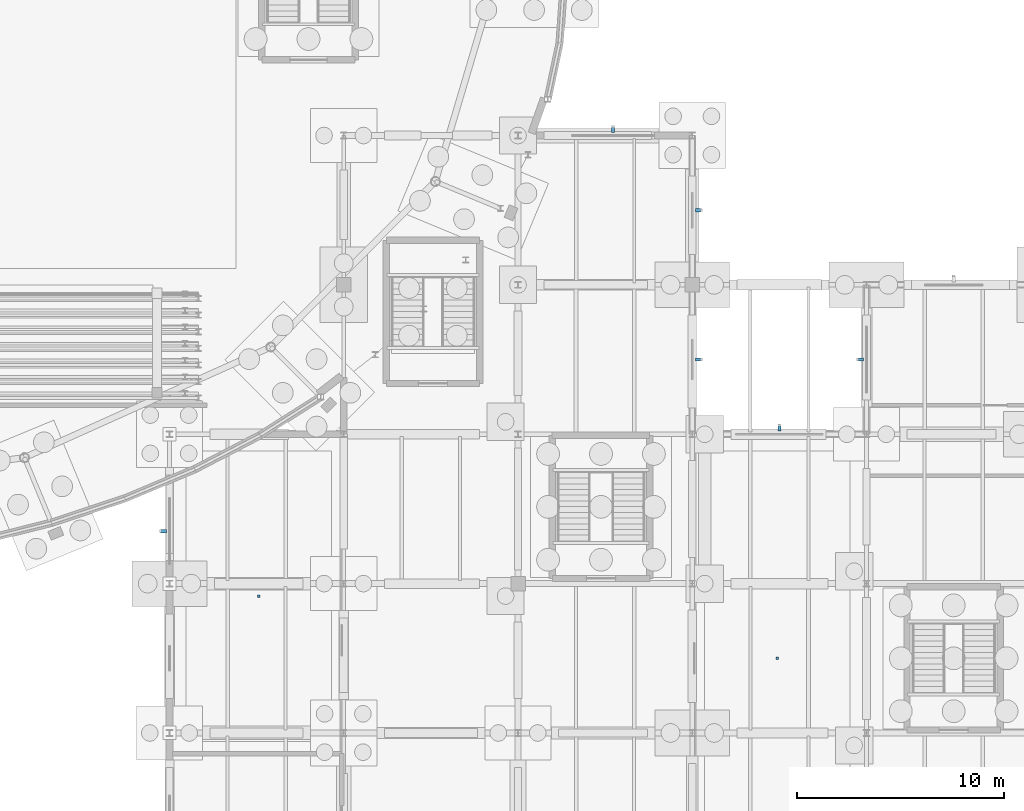
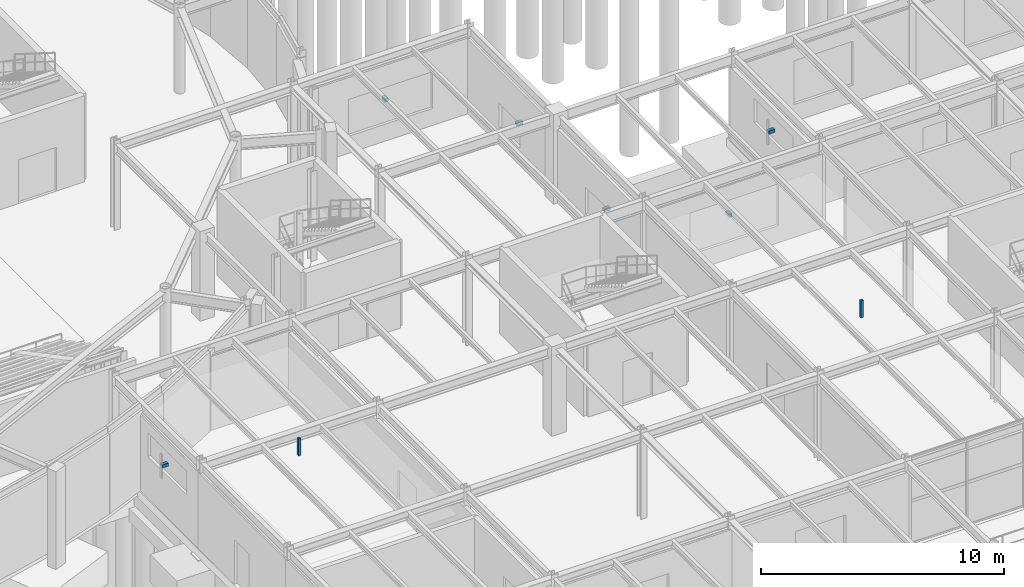
# One storey, part 68 of 93: 8 discrete accessories.
"""IFC4 building model written with IfcOpenShell, lengths in metres."""

import ifcopenshell
import ifcopenshell.guid

model = None  # the IFC model being written
_history = None  # IfcOwnerHistory: only IFC2X3 demands one
_inside = {}  # id of a spatial element -> (the spatial element, [elements in it])
_under = {}  # id of a project, library or spatial element -> (it, [spatial elements below it])
_declared = {}  # id of a project -> (the project, [libraries it declares])
_typed = {}  # id of a type object -> (the type object, [elements of that type])
_made_of = {}  # id of a material, layer set ... -> (it, [elements and type objects made of it])


def new_model(schema):
    """Start an empty IFC model of exactly this schema.

    Asked for "IFC4X3", IfcOpenShell would pick the latest addendum, in which some entities
    have other attributes; the version numbers below select the first issue.
    IFC2X3 requires an IfcOwnerHistory on every rooted entity: one is made here for all.
    """
    global model, _history
    if schema == "IFC4X3":
        model = ifcopenshell.file(schema_version=(4, 3, 0, 0))
    else:
        model = ifcopenshell.file(schema=schema)
    _inside.clear()
    _under.clear()
    _declared.clear()
    _typed.clear()
    _made_of.clear()
    _history = None
    if model.schema == "IFC2X3":
        org = make("IfcOrganization", Name="unknown")
        user = make(
            "IfcPersonAndOrganization",
            ThePerson=make("IfcPerson", FamilyName="unknown"),
            TheOrganization=org,
        )
        app = make(
            "IfcApplication",
            ApplicationDeveloper=org,
            Version="unknown",
            ApplicationFullName="unknown",
            ApplicationIdentifier="unknown",
        )
        _history = make(
            "IfcOwnerHistory",
            OwningUser=user,
            OwningApplication=app,
            ChangeAction="ADDED",
            CreationDate=0,
        )
    return model


def make(cls, **values):
    """One entity of the class cls with the attributes given. An attribute that is None is left unset."""
    return model.create_entity(
        cls, **{name: value for name, value in values.items() if value is not None}
    )


def rooted(cls, **values):
    """An entity with a GlobalId (a new one), such as an element, a storey or a relation."""
    return make(cls, GlobalId=ifcopenshell.guid.new(), OwnerHistory=_history, **values)


def si_unit(unit_type, name, prefix=None):
    """IfcSIUnit, for example si_unit("LENGTHUNIT", "METRE", prefix="MILLI")."""
    return make("IfcSIUnit", UnitType=unit_type, Prefix=prefix, Name=name)


def derived_unit(unit_type, elements):
    """IfcDerivedUnit: a product of units, each with its exponent."""
    return make(
        "IfcDerivedUnit",
        Elements=[
            make("IfcDerivedUnitElement", Unit=unit, Exponent=power)
            for unit, power in elements
        ],
        UnitType=unit_type,
    )


def assignment(units):
    """IfcUnitAssignment: the units of a project."""
    return None if units is None else make("IfcUnitAssignment", Units=units)


def point(xyz):
    """IfcCartesianPoint."""
    return None if xyz is None else make("IfcCartesianPoint", Coordinates=xyz)


def direction(xyz):
    """IfcDirection."""
    return None if xyz is None else make("IfcDirection", DirectionRatios=xyz)


def frame(location, z_axis=None, x_axis=None):
    """IfcAxis2Placement3D, a coordinate frame: its origin and axes. An axis left out is left unset."""
    return make(
        "IfcAxis2Placement3D",
        Location=point(location),
        Axis=direction(z_axis),
        RefDirection=direction(x_axis),
    )


def frame_2d(location, x_axis=None):
    """IfcAxis2Placement2D, a coordinate frame in the plane: its origin and x axis."""
    return make(
        "IfcAxis2Placement2D", Location=point(location), RefDirection=direction(x_axis)
    )


def origin():
    """The frame at (0, 0, 0) with its axes left unset."""
    return frame((0.0, 0.0, 0.0))


def origin_2d():
    """The frame at (0, 0) in the plane with its x axis left unset."""
    return frame_2d((0.0, 0.0))


def place(relative_to, where):
    """IfcLocalPlacement: puts the frame where relative to a parent placement (None: the world)."""
    return make(
        "IfcLocalPlacement", PlacementRelTo=relative_to, RelativePlacement=where
    )


def context(
    kind, dimensions, precision=None, world=None, true_north=None, identifier=None
):
    """IfcGeometricRepresentationContext, for example the 3D "Model" context."""
    return make(
        "IfcGeometricRepresentationContext",
        ContextIdentifier=identifier,
        ContextType=kind,
        CoordinateSpaceDimension=dimensions,
        Precision=precision,
        WorldCoordinateSystem=world,
        TrueNorth=true_north,
    )


def subcontext(parent, identifier, kind, view, scale=None):
    """IfcGeometricRepresentationSubContext, for example "Body" below "Model"."""
    return make(
        "IfcGeometricRepresentationSubContext",
        ContextIdentifier=identifier,
        ContextType=kind,
        ParentContext=parent,
        TargetScale=scale,
        TargetView=view,
    )


def project(units=None, contexts=None):
    """IfcProject with its units and contexts."""
    return rooted(
        "IfcProject",
        Name="project",
        RepresentationContexts=contexts,
        UnitsInContext=assignment(units),
    )


def spatial(cls, under=None, at=None, **own):
    """A site, building, storey or space (cls), placed at a placement, below another one or the project."""
    s = rooted(cls, ObjectPlacement=at, **own)
    if under is not None:
        _under.setdefault(under.id(), (under, []))[1].append(s)
    return s


def profile(cls, at=None, kind="AREA", **sizes):
    """A parametric profile (cls). Its sizes go by their IFC names, for example OverallWidth=200.0."""
    return make(cls, ProfileType=kind, Position=at, **sizes)


def rectangle(**sizes):
    """IfcRectangleProfileDef."""
    return profile("IfcRectangleProfileDef", **sizes)


def extrude(swept, where, along, depth):
    """IfcExtrudedAreaSolid: the profile swept, set in the frame where, extruded along a direction by depth."""
    return make(
        "IfcExtrudedAreaSolid",
        SweptArea=swept,
        Position=where,
        ExtrudedDirection=direction(along),
        Depth=depth,
    )


def shape(context_of_items, identifier, shape_type, items):
    """IfcShapeRepresentation: the items that make up one representation, for example the "Body"."""
    return make(
        "IfcShapeRepresentation",
        ContextOfItems=context_of_items,
        RepresentationIdentifier=identifier,
        RepresentationType=shape_type,
        Items=items,
    )


def material(Name=None, Category=None):
    """IfcMaterial."""
    return make("IfcMaterial", Name=Name, Category=Category)


def made_of(thing, what):
    """Note that an element or type object is made of a material, layer set ...; save() writes the relation."""
    if what is not None:
        _made_of.setdefault(what.id(), (what, []))[1].append(thing)
    return thing


def type_object(cls, material=None, **own):
    """A type object (cls), such as IfcWallType, which elements share."""
    return made_of(rooted(cls, **own), material)


def element(
    cls,
    number,
    at=None,
    inside=None,
    cuts=None,
    type_object=None,
    material=None,
    context=None,
    identifier="Body",
    shape_type=None,
    held_by="IfcProductDefinitionShape",
    body=None,
    shapes=None,
    **own,
):
    """One element of the class cls, such as IfcWall. Its Tag is "e" and its number.

    at: its placement. inside: the storey or other place that contains it. cuts: it is an
    opening in that element (IfcRelVoidsElement). A single representation is given by context,
    identifier, shape_type and body (its items); several are given by shapes. held_by: the class
    of the entity that holds the representations. save() writes the other relations.
    """
    e = rooted(cls, Tag="e%d" % number, ObjectPlacement=at, **own)
    if body is not None:
        shapes = [shape(context, identifier, shape_type, body)]
    if shapes is not None:
        e.Representation = make(held_by, Representations=shapes)
    if inside is not None:
        _inside.setdefault(inside.id(), (inside, []))[1].append(e)
    if cuts is not None:
        rooted(
            "IfcRelVoidsElement", RelatingBuildingElement=cuts, RelatedOpeningElement=e
        )
    if type_object is not None:
        _typed.setdefault(type_object.id(), (type_object, []))[1].append(e)
    return made_of(e, material)


def aggregate(whole, parts):
    """IfcRelAggregates: a whole, such as a stair, and the parts it consists of."""
    return rooted("IfcRelAggregates", RelatingObject=whole, RelatedObjects=parts)


def save(model, path):
    """Write the relations noted so far, then the file.

    IfcRelAggregates (storeys below a building ...), IfcRelContainedInSpatialStructure (elements
    in a storey), IfcRelDefinesByType, IfcRelAssociatesMaterial and IfcRelDeclares: one each for
    every whole, place, type object, material and project.
    """
    for whole, parts in _under.values():
        aggregate(whole, parts)
    for where, things in _inside.values():
        rooted(
            "IfcRelContainedInSpatialStructure",
            RelatedElements=things,
            RelatingStructure=where,
        )
    for kind, things in _typed.values():
        rooted("IfcRelDefinesByType", RelatedObjects=things, RelatingType=kind)
    for what, things in _made_of.values():
        rooted("IfcRelAssociatesMaterial", RelatedObjects=things, RelatingMaterial=what)
    for by, libraries in _declared.values():
        rooted("IfcRelDeclares", RelatingContext=by, RelatedDefinitions=libraries)
    model.write(path)


model = new_model("IFC4")

# Units and contexts
model_context = context("Model", 3, precision=1e-05, world=origin(), true_north=direction((0.0, 1.0)))
body_context = subcontext(model_context, "Body", "Model", "MODEL_VIEW")
ifc_project = project(units=[si_unit("LENGTHUNIT", "METRE"), si_unit("AREAUNIT", "SQUARE_METRE"), si_unit("VOLUMEUNIT", "CUBIC_METRE"), si_unit("PLANEANGLEUNIT", "RADIAN"), si_unit("MASSUNIT", "GRAM", prefix="KILO"), derived_unit("THERMALTRANSMITTANCEUNIT", [(si_unit("MASSUNIT", "GRAM", prefix="KILO"), 1), (si_unit("TIMEUNIT", "SECOND"), -3), (si_unit("THERMODYNAMICTEMPERATUREUNIT", "KELVIN"), -1)])], contexts=[model_context])

# Site, building, storey
site_placement = place(None, origin())
site = spatial("IfcSite", under=ifc_project, at=site_placement, CompositionType="ELEMENT")
building_placement = place(site_placement, origin())
building = spatial("IfcBuilding", under=site, at=building_placement, Name="Kharveza Railside Sports Centre", CompositionType="ELEMENT")
storey_placement = place(building_placement, origin())
storey = spatial("IfcBuildingStorey", under=building, at=storey_placement, Name="L00", CompositionType="ELEMENT", Elevation=0.0)

# Discrete accessories
ifc_material = material(Name="Steel S275JR", Category="steel")
discrete_accessory_type = type_object("IfcDiscreteAccessoryType", Name="DA-BK01", PredefinedType="BRACKET", material=ifc_material)
for number, where, z_axis, x_axis, name in (
    (1, (75.31005859375, 24.129638671875, 2.6201171875), (0.0, 0.0, 1.0), (-1.0, 0.0, 0.0), "BK-FIN-001"),
    (2, (108.909912109375, 32.39990234375, 2.6201171875), (0.0, 0.0, 1.0), (-1.0, 0.0, 0.0), "BK-FIN-012"),
    (3, (105.0, 29.090087890625, 1.81982421875), (0.0, 0.0, 1.0), (0.0, 1.0, 0.0), "BK-FIN-013"),
    (4, (101.090087890625, 32.39990234375, 1.44482421875), (0.0, 0.0, 1.0), (1.0, 0.0, 0.0), "BK-FIN-014"),
    (5, (101.090087890625, 39.60009765625, 1.39501953125), (0.0, 0.0, 1.0), (1.0, 0.0, 0.0), "BK-FIN-015"),
    (6, (96.978515625, 43.489990234375, 1.69482421875), (0.0, 0.0, 1.0), (0.0, 1.0, 0.0), "BK-FIN-016"),
):
    element("IfcDiscreteAccessory", number, at=place(storey_placement, frame(where, z_axis=z_axis, x_axis=x_axis)), inside=storey, type_object=discrete_accessory_type, Name=name, PredefinedType="BRACKET", context=body_context, shape_type="SweptSolid", body=[
        extrude(rectangle(XDim=0.280029296875, YDim=0.159912109375, at=origin_2d()), origin(), (0.0, 0.0, 1.0), 0.159912109375),
    ])
for number, where, z_axis, x_axis, name in (
    (7, (104.89990234375, 18.0, 3.469970703125), (0.0, 0.0, 1.0), (1.0, 0.0, 0.0), "BK-COV-CL-CAFE"),
    (8, (79.89990234375, 21.0, 3.469970703125), (0.0, 0.0, 1.0), (1.0, 0.0, 0.0), "BK-COV-CL-SHOP"),
):
    element("IfcDiscreteAccessory", number, at=place(storey_placement, frame(where, z_axis=z_axis, x_axis=x_axis)), inside=storey, type_object=discrete_accessory_type, Name=name, PredefinedType="BRACKET", context=body_context, shape_type="SweptSolid", body=[
        extrude(rectangle(XDim=0.1201171875, YDim=0.1201171875, at=origin_2d()), origin(), (0.0, 0.0, 1.0), 0.8701171875),
    ])

save(model, "model.ifc")
